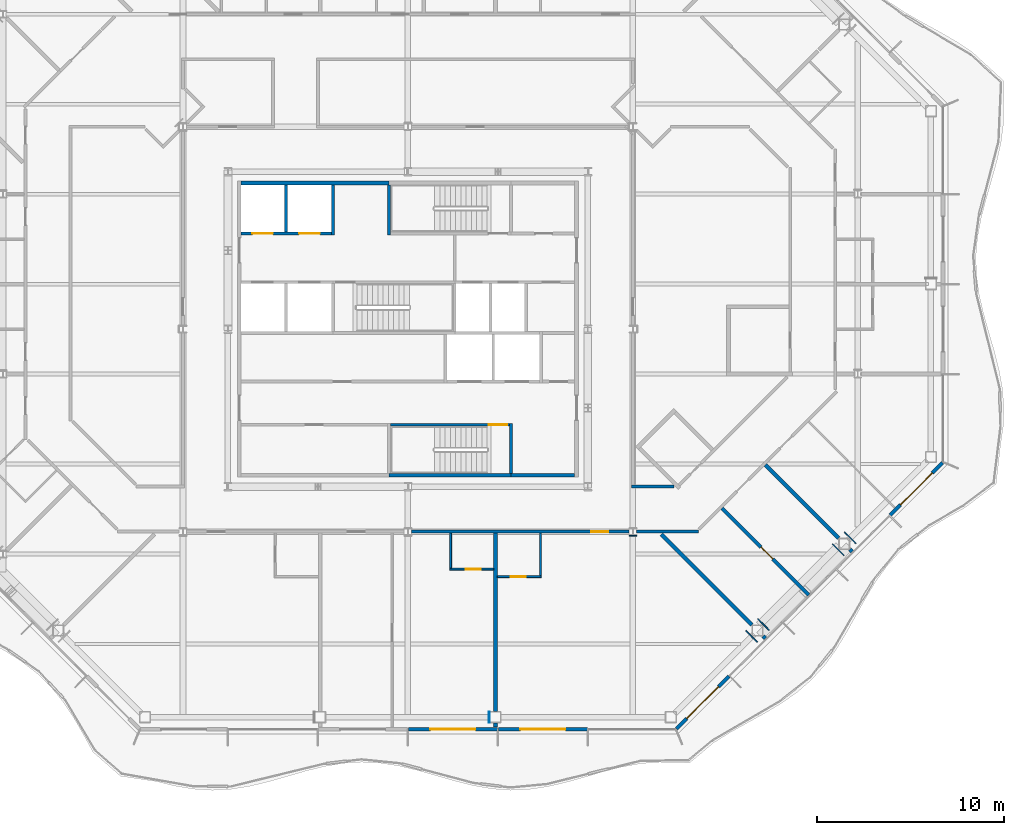
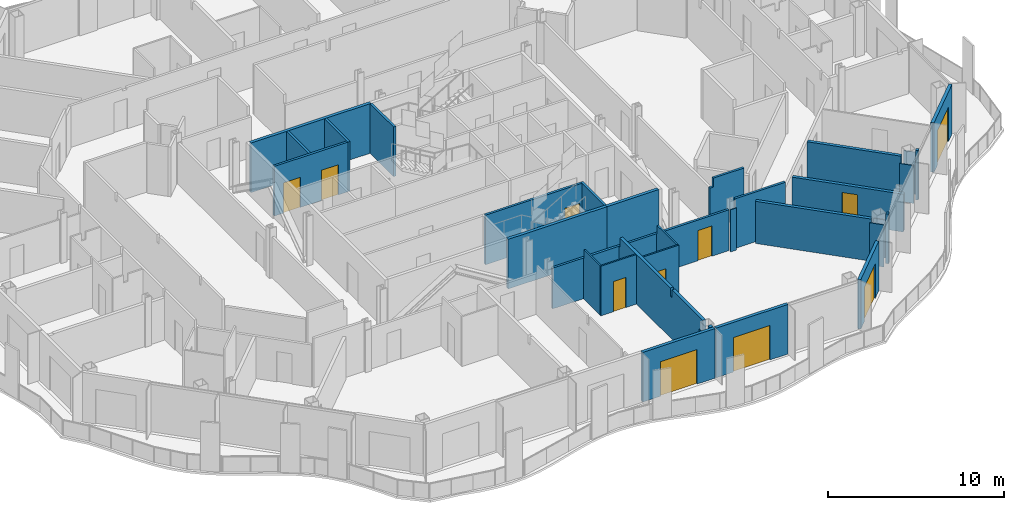
# One storey, part 9 of 21: 33 walls, 11 doors, 11 openings.
"""IFC4 building model written with IfcOpenShell, lengths in metres."""

import ifcopenshell
import ifcopenshell.guid

model = None  # the IFC model being written
_history = None  # IfcOwnerHistory: only IFC2X3 demands one
_inside = {}  # id of a spatial element -> (the spatial element, [elements in it])
_under = {}  # id of a project, library or spatial element -> (it, [spatial elements below it])
_declared = {}  # id of a project -> (the project, [libraries it declares])
_typed = {}  # id of a type object -> (the type object, [elements of that type])
_made_of = {}  # id of a material, layer set ... -> (it, [elements and type objects made of it])


def new_model(schema):
    """Start an empty IFC model of exactly this schema.

    Asked for "IFC4X3", IfcOpenShell would pick the latest addendum, in which some entities
    have other attributes; the version numbers below select the first issue.
    IFC2X3 requires an IfcOwnerHistory on every rooted entity: one is made here for all.
    """
    global model, _history
    if schema == "IFC4X3":
        model = ifcopenshell.file(schema_version=(4, 3, 0, 0))
    else:
        model = ifcopenshell.file(schema=schema)
    _inside.clear()
    _under.clear()
    _declared.clear()
    _typed.clear()
    _made_of.clear()
    _history = None
    if model.schema == "IFC2X3":
        org = make("IfcOrganization", Name="unknown")
        user = make(
            "IfcPersonAndOrganization",
            ThePerson=make("IfcPerson", FamilyName="unknown"),
            TheOrganization=org,
        )
        app = make(
            "IfcApplication",
            ApplicationDeveloper=org,
            Version="unknown",
            ApplicationFullName="unknown",
            ApplicationIdentifier="unknown",
        )
        _history = make(
            "IfcOwnerHistory",
            OwningUser=user,
            OwningApplication=app,
            ChangeAction="ADDED",
            CreationDate=0,
        )
    return model


def make(cls, **values):
    """One entity of the class cls with the attributes given. An attribute that is None is left unset."""
    return model.create_entity(
        cls, **{name: value for name, value in values.items() if value is not None}
    )


def rooted(cls, **values):
    """An entity with a GlobalId (a new one), such as an element, a storey or a relation."""
    return make(cls, GlobalId=ifcopenshell.guid.new(), OwnerHistory=_history, **values)


def si_unit(unit_type, name, prefix=None):
    """IfcSIUnit, for example si_unit("LENGTHUNIT", "METRE", prefix="MILLI")."""
    return make("IfcSIUnit", UnitType=unit_type, Prefix=prefix, Name=name)


def assignment(units):
    """IfcUnitAssignment: the units of a project."""
    return None if units is None else make("IfcUnitAssignment", Units=units)


def point(xyz):
    """IfcCartesianPoint."""
    return None if xyz is None else make("IfcCartesianPoint", Coordinates=xyz)


def direction(xyz):
    """IfcDirection."""
    return None if xyz is None else make("IfcDirection", DirectionRatios=xyz)


def frame(location, z_axis=None, x_axis=None):
    """IfcAxis2Placement3D, a coordinate frame: its origin and axes. An axis left out is left unset."""
    return make(
        "IfcAxis2Placement3D",
        Location=point(location),
        Axis=direction(z_axis),
        RefDirection=direction(x_axis),
    )


def frame_2d(location, x_axis=None):
    """IfcAxis2Placement2D, a coordinate frame in the plane: its origin and x axis."""
    return make(
        "IfcAxis2Placement2D", Location=point(location), RefDirection=direction(x_axis)
    )


def origin():
    """The frame at (0, 0, 0) with its axes left unset."""
    return frame((0.0, 0.0, 0.0))


def place(relative_to, where):
    """IfcLocalPlacement: puts the frame where relative to a parent placement (None: the world)."""
    return make(
        "IfcLocalPlacement", PlacementRelTo=relative_to, RelativePlacement=where
    )


def context(
    kind, dimensions, precision=None, world=None, true_north=None, identifier=None
):
    """IfcGeometricRepresentationContext, for example the 3D "Model" context."""
    return make(
        "IfcGeometricRepresentationContext",
        ContextIdentifier=identifier,
        ContextType=kind,
        CoordinateSpaceDimension=dimensions,
        Precision=precision,
        WorldCoordinateSystem=world,
        TrueNorth=true_north,
    )


def subcontext(parent, identifier, kind, view, scale=None):
    """IfcGeometricRepresentationSubContext, for example "Body" below "Model"."""
    return make(
        "IfcGeometricRepresentationSubContext",
        ContextIdentifier=identifier,
        ContextType=kind,
        ParentContext=parent,
        TargetScale=scale,
        TargetView=view,
    )


def project(units=None, contexts=None):
    """IfcProject with its units and contexts."""
    return rooted(
        "IfcProject",
        Name="project",
        RepresentationContexts=contexts,
        UnitsInContext=assignment(units),
    )


def spatial(cls, under=None, at=None, **own):
    """A site, building, storey or space (cls), placed at a placement, below another one or the project."""
    s = rooted(cls, ObjectPlacement=at, **own)
    if under is not None:
        _under.setdefault(under.id(), (under, []))[1].append(s)
    return s


def polyline(points):
    """IfcPolyline through the points."""
    return make("IfcPolyline", Points=[point(p) for p in points])


def profile(cls, at=None, kind="AREA", **sizes):
    """A parametric profile (cls). Its sizes go by their IFC names, for example OverallWidth=200.0."""
    return make(cls, ProfileType=kind, Position=at, **sizes)


def rectangle(**sizes):
    """IfcRectangleProfileDef."""
    return profile("IfcRectangleProfileDef", **sizes)


def outline(outer, holes=None, kind="AREA"):
    """IfcArbitraryClosedProfileDef: a profile drawn as a closed curve; with holes, ...WithVoids."""
    if holes is None:
        return make("IfcArbitraryClosedProfileDef", ProfileType=kind, OuterCurve=outer)
    return make(
        "IfcArbitraryProfileDefWithVoids",
        ProfileType=kind,
        OuterCurve=outer,
        InnerCurves=holes,
    )


def extrude(swept, where, along, depth):
    """IfcExtrudedAreaSolid: the profile swept, set in the frame where, extruded along a direction by depth."""
    return make(
        "IfcExtrudedAreaSolid",
        SweptArea=swept,
        Position=where,
        ExtrudedDirection=direction(along),
        Depth=depth,
    )


def shape(context_of_items, identifier, shape_type, items):
    """IfcShapeRepresentation: the items that make up one representation, for example the "Body"."""
    return make(
        "IfcShapeRepresentation",
        ContextOfItems=context_of_items,
        RepresentationIdentifier=identifier,
        RepresentationType=shape_type,
        Items=items,
    )


def material(Name=None, Category=None):
    """IfcMaterial."""
    return make("IfcMaterial", Name=Name, Category=Category)


def layer(
    of_material, thickness, ventilated=None, Name=None, Category=None, Priority=None
):
    """IfcMaterialLayer: one layer of a wall or slab, of a material (None: an air gap)."""
    return make(
        "IfcMaterialLayer",
        Material=of_material,
        LayerThickness=thickness,
        IsVentilated=ventilated,
        Name=Name,
        Category=Category,
        Priority=Priority,
    )


def layer_set(layers, Name=None):
    """IfcMaterialLayerSet."""
    return make("IfcMaterialLayerSet", MaterialLayers=layers, LayerSetName=Name)


def made_of(thing, what):
    """Note that an element or type object is made of a material, layer set ...; save() writes the relation."""
    if what is not None:
        _made_of.setdefault(what.id(), (what, []))[1].append(thing)
    return thing


def type_object(cls, material=None, **own):
    """A type object (cls), such as IfcWallType, which elements share."""
    return made_of(rooted(cls, **own), material)


def element(
    cls,
    number,
    at=None,
    inside=None,
    cuts=None,
    type_object=None,
    material=None,
    context=None,
    identifier="Body",
    shape_type=None,
    held_by="IfcProductDefinitionShape",
    body=None,
    shapes=None,
    **own,
):
    """One element of the class cls, such as IfcWall. Its Tag is "e" and its number.

    at: its placement. inside: the storey or other place that contains it. cuts: it is an
    opening in that element (IfcRelVoidsElement). A single representation is given by context,
    identifier, shape_type and body (its items); several are given by shapes. held_by: the class
    of the entity that holds the representations. save() writes the other relations.
    """
    e = rooted(cls, Tag="e%d" % number, ObjectPlacement=at, **own)
    if body is not None:
        shapes = [shape(context, identifier, shape_type, body)]
    if shapes is not None:
        e.Representation = make(held_by, Representations=shapes)
    if inside is not None:
        _inside.setdefault(inside.id(), (inside, []))[1].append(e)
    if cuts is not None:
        rooted(
            "IfcRelVoidsElement", RelatingBuildingElement=cuts, RelatedOpeningElement=e
        )
    if type_object is not None:
        _typed.setdefault(type_object.id(), (type_object, []))[1].append(e)
    return made_of(e, material)


def fill(opening, filler):
    """IfcRelFillsElement: the door or window that sits in an opening."""
    return rooted(
        "IfcRelFillsElement",
        RelatingOpeningElement=opening,
        RelatedBuildingElement=filler,
    )


def aggregate(whole, parts):
    """IfcRelAggregates: a whole, such as a stair, and the parts it consists of."""
    return rooted("IfcRelAggregates", RelatingObject=whole, RelatedObjects=parts)


def save(model, path):
    """Write the relations noted so far, then the file.

    IfcRelAggregates (storeys below a building ...), IfcRelContainedInSpatialStructure (elements
    in a storey), IfcRelDefinesByType, IfcRelAssociatesMaterial and IfcRelDeclares: one each for
    every whole, place, type object, material and project.
    """
    for whole, parts in _under.values():
        aggregate(whole, parts)
    for where, things in _inside.values():
        rooted(
            "IfcRelContainedInSpatialStructure",
            RelatedElements=things,
            RelatingStructure=where,
        )
    for kind, things in _typed.values():
        rooted("IfcRelDefinesByType", RelatedObjects=things, RelatingType=kind)
    for what, things in _made_of.values():
        rooted("IfcRelAssociatesMaterial", RelatedObjects=things, RelatingMaterial=what)
    for by, libraries in _declared.values():
        rooted("IfcRelDeclares", RelatingContext=by, RelatedDefinitions=libraries)
    model.write(path)


model = new_model("IFC4")

# Units and contexts
model_context = context("Model", 3, precision=1e-05, world=origin(), true_north=direction((0.0, 1.0)))
body_context = subcontext(model_context, "Body", "Model", "MODEL_VIEW")
ifc_project = project(units=[si_unit("LENGTHUNIT", "METRE"), si_unit("AREAUNIT", "SQUARE_METRE"), si_unit("VOLUMEUNIT", "CUBIC_METRE"), si_unit("PLANEANGLEUNIT", "RADIAN"), si_unit("MASSUNIT", "GRAM", prefix="KILO")], contexts=[model_context])

# Site, building, storey
site_placement = place(None, origin())
site = spatial("IfcSite", under=ifc_project, at=site_placement, CompositionType="ELEMENT")
building_placement = place(site_placement, origin())
building = spatial("IfcBuilding", under=site, at=building_placement, Name="Cairn Pilgrim Tower", CompositionType="ELEMENT")
storey_placement = place(building_placement, frame((0.0, 0.0, 161.39990234375)))
storey = spatial("IfcBuildingStorey", under=building, at=storey_placement, Name="L40", CompositionType="ELEMENT", Elevation=161.39990234375)

# Wall, opening, door
ifc_material_1 = material(Name="Bronze anodised aluminium insulated sandwich panel with mineral wool fill", Category="aluminium")
ifc_layer_1 = layer(ifc_material_1, 0.199951171875)
ifc_layer_set_1 = layer_set([ifc_layer_1], Name="BRONZE INFILL FRAME WALL 200")
wall_type_1 = type_object("IfcWallType", Name="BRONZE INFILL FRAME WALL 200", PredefinedType="NOTDEFINED", material=ifc_layer_set_1)
wall_1_placement = place(storey_placement, frame((7.22998046875, -18.949951171875, 0.0), z_axis=(0.0, 0.0, 1.0), x_axis=(1.0, 0.0, 0.0)))
wall_1 = element("IfcWall", 1, at=wall_1_placement, inside=storey, type_object=wall_type_1, Name="Bronze infill frame wall IW-S4", PredefinedType="NOTDEFINED", context=body_context, shape_type="SweptSolid", body=[
    extrude(rectangle(XDim=4.739990234375, YDim=0.199951171875, at=frame_2d((2.3701171875, 0.0))), origin(), (0.0, 0.0, 1.0), 3.4501953125),
])
opening_1_placement = place(wall_1_placement, frame((1.17041015625, 0.0, 0.0)))
opening_1 = element("IfcOpeningElement", 2, at=opening_1_placement, cuts=wall_1, Name="Opening 4022SB", PredefinedType="OPENING", context=body_context, shape_type="SweptSolid", body=[
    extrude(rectangle(XDim=2.39990234375, YDim=2.39990234375, at=frame_2d((1.199951171875, 1.199951171875))), frame((0.0, 0.10986328125, 0.0), z_axis=(0.0, -1.0, 0.0), x_axis=(1.0, 0.0, 0.0)), (0.0, 0.0, 1.0), 0.219970703125),
])
ifc_material_2 = material(Name="Bronze anodised aluminium frame with tinted low-E glass", Category="aluminium")
door_type_1 = type_object("IfcDoorType", Name="BALCONY SLIDING DOOR 2400x2400", OperationType="DOUBLE_DOOR_SLIDING", PredefinedType="DOOR", material=ifc_material_2)
door_1_placement = place(opening_1_placement, origin())
door_1 = element("IfcDoor", 3, at=door_1_placement, inside=storey, type_object=door_type_1, Name="Balcony sliding door 4022SB", OperationType="SINGLE_SWING_LEFT", OverallHeight=2.39990234375, OverallWidth=2.39990234375, PredefinedType="DOOR", context=body_context, shape_type="SweptSolid", body=[
    extrude(rectangle(XDim=2.39990234375, YDim=2.39990234375, at=frame_2d((1.199951171875, 1.199951171875))), frame((0.0, 0.02490234375, 0.0), z_axis=(0.0, -1.0, 0.0), x_axis=(1.0, 0.0, 0.0)), (0.0, 0.0, 1.0), 0.050048828125),
])
fill(opening_1, door_1)

wall_2_placement = place(storey_placement, frame((12.030029296875, -18.949951171875, 0.0), z_axis=(0.0, 0.0, 1.0), x_axis=(1.0, 0.0, 0.0)))
wall_2 = element("IfcWall", 4, at=wall_2_placement, inside=storey, type_object=wall_type_1, Name="Bronze infill frame wall IW-S5", PredefinedType="NOTDEFINED", context=body_context, shape_type="SweptSolid", body=[
    extrude(rectangle(XDim=4.739990234375, YDim=0.199951171875, at=frame_2d((2.3701171875, 0.0))), origin(), (0.0, 0.0, 1.0), 3.4501953125),
])
opening_2_placement = place(wall_2_placement, frame((1.169677734375, 0.0, 0.0)))
opening_2 = element("IfcOpeningElement", 5, at=opening_2_placement, cuts=wall_2, Name="Opening 4001B", PredefinedType="OPENING", context=body_context, shape_type="SweptSolid", body=[
    extrude(rectangle(XDim=2.39990234375, YDim=2.39990234375, at=frame_2d((1.199951171875, 1.199951171875))), frame((0.0, 0.10986328125, 0.0), z_axis=(0.0, -1.0, 0.0), x_axis=(1.0, 0.0, 0.0)), (0.0, 0.0, 1.0), 0.219970703125),
])
door_2_placement = place(opening_2_placement, origin())
door_2 = element("IfcDoor", 6, at=door_2_placement, inside=storey, type_object=door_type_1, Name="Balcony sliding door 4001B", OperationType="SINGLE_SWING_LEFT", OverallHeight=2.39990234375, OverallWidth=2.39990234375, PredefinedType="DOOR", context=body_context, shape_type="SweptSolid", body=[
    extrude(rectangle(XDim=2.39990234375, YDim=2.39990234375, at=frame_2d((1.199951171875, 1.199951171875))), frame((0.0, 0.02490234375, 0.0), z_axis=(0.0, -1.0, 0.0), x_axis=(1.0, 0.0, 0.0)), (0.0, 0.0, 1.0), 0.050048828125),
])
fill(opening_2, door_2)

wall_3_placement = place(storey_placement, frame((21.524658203125, -18.921630859375, 0.0), z_axis=(0.0, 0.0, 1.0), x_axis=(0.707137595296, 0.707075965734, 0.0)))
wall_3 = element("IfcWall", 7, at=wall_3_placement, inside=storey, type_object=wall_type_1, Name="Bronze infill frame wall IW-SE1", PredefinedType="NOTDEFINED", context=body_context, shape_type="SweptSolid", body=[
    extrude(rectangle(XDim=3.96142578125, YDim=0.199951171875, at=frame_2d((1.980712890625, 0.0))), origin(), (0.0, 0.0, 1.0), 3.4501953125),
])
opening_3_placement = place(wall_3_placement, frame((0.775390625, 0.0, 0.0)))
opening_3 = element("IfcOpeningElement", 8, at=opening_3_placement, cuts=wall_3, Name="Opening 4001B2", PredefinedType="OPENING", context=body_context, shape_type="SweptSolid", body=[
    extrude(rectangle(XDim=2.39990234375, YDim=2.39990234375, at=frame_2d((1.199951171875, 1.199951171875))), frame((0.0, 0.10986328125, 0.0), z_axis=(0.0, -1.0, 0.0), x_axis=(1.0, 0.0, 0.0)), (0.0, 0.0, 1.0), 0.219970703125),
])
door_3_placement = place(opening_3_placement, origin())
door_3 = element("IfcDoor", 9, at=door_3_placement, inside=storey, type_object=door_type_1, Name="Balcony sliding door 4001B2", OperationType="SINGLE_SWING_LEFT", OverallHeight=2.39990234375, OverallWidth=2.39990234375, PredefinedType="DOOR", context=body_context, shape_type="SweptSolid", body=[
    extrude(rectangle(XDim=2.39990234375, YDim=2.39990234375, at=frame_2d((1.199951171875, 1.199951171875))), frame((0.0, 0.02490234375, 0.0), z_axis=(0.0, -1.0, 0.0), x_axis=(1.0, 0.0, 0.0)), (0.0, 0.0, 1.0), 0.050048828125),
])
fill(opening_3, door_3)

wall_4_placement = place(storey_placement, frame((32.92041015625, -7.52587890625, 0.0), z_axis=(0.0, 0.0, 1.0), x_axis=(0.707106781187, 0.707106781187, 0.0)))
wall_4 = element("IfcWall", 10, at=wall_4_placement, inside=storey, type_object=wall_type_1, Name="Bronze infill frame wall IW-SE5", PredefinedType="NOTDEFINED", context=body_context, shape_type="SweptSolid", body=[
    extrude(rectangle(XDim=3.961669921875, YDim=0.199951171875, at=frame_2d((1.98095703125, 0.0))), origin(), (0.0, 0.0, 1.0), 3.4501953125),
])
opening_4_placement = place(wall_4_placement, frame((0.785400390625, 0.0, 0.0)))
opening_4 = element("IfcOpeningElement", 11, at=opening_4_placement, cuts=wall_4, Name="Opening 4005B", PredefinedType="OPENING", context=body_context, shape_type="SweptSolid", body=[
    extrude(rectangle(XDim=2.39990234375, YDim=2.39990234375, at=frame_2d((1.199951171875, 1.199951171875))), frame((0.0, 0.10986328125, 0.0), z_axis=(0.0, -1.0, 0.0), x_axis=(1.0, 0.0, 0.0)), (0.0, 0.0, 1.0), 0.219970703125),
])
door_4_placement = place(opening_4_placement, origin())
door_4 = element("IfcDoor", 12, at=door_4_placement, inside=storey, type_object=door_type_1, Name="Balcony sliding door 4005B", OperationType="SINGLE_SWING_LEFT", OverallHeight=2.39990234375, OverallWidth=2.39990234375, PredefinedType="DOOR", context=body_context, shape_type="SweptSolid", body=[
    extrude(rectangle(XDim=2.39990234375, YDim=2.39990234375, at=frame_2d((1.199951171875, 1.199951171875))), frame((0.0, 0.02490234375, 0.0), z_axis=(0.0, -1.0, 0.0), x_axis=(1.0, 0.0, 0.0)), (0.0, 0.0, 1.0), 0.050048828125),
])
fill(opening_4, door_4)

# Walls
ifc_material_3 = material(Name="Concrete C32/40", Category="concrete")
ifc_layer_2 = layer(ifc_material_3, 0.199951171875)
ifc_layer_set_2 = layer_set([ifc_layer_2], Name="CORE OUTER WALL 200 EI 120")
wall_type_2 = type_object("IfcWallType", Name="CORE OUTER WALL 200 EI 120", PredefinedType="SOLIDWALL", material=ifc_layer_set_2)
wall_5_placement = place(storey_placement, frame((12.699951171875, -5.39990234375, 0.0), z_axis=(0.0, 0.0, 1.0), x_axis=(1.0, 0.0, 0.0)))
element("IfcWall", 13, at=wall_5_placement, inside=storey, type_object=wall_type_2, Name="CW:L40:H01-3", PredefinedType="SOLIDWALL", context=body_context, shape_type="SweptSolid", body=[
    extrude(rectangle(XDim=3.400146484375, YDim=0.199951171875, at=frame_2d((1.7001953125, 0.0))), origin(), (0.0, 0.0, 1.0), 3.4501953125),
])
wall_6_placement = place(storey_placement, frame((-1.699951171875, 10.199951171875, 0.0), z_axis=(0.0, 0.0, 1.0), x_axis=(1.0, 0.0, 0.0)))
element("IfcWall", 14, at=wall_6_placement, inside=storey, type_object=wall_type_2, Name="CW:L40:H12-1", PredefinedType="SOLIDWALL", context=body_context, shape_type="SweptSolid", body=[
    extrude(rectangle(XDim=7.89990234375, YDim=0.199951171875, at=frame_2d((3.949951171875, 0.0))), origin(), (0.0, 0.0, 1.0), 3.4501953125),
])

# Wall, openings, doors
ifc_layer_3 = layer(ifc_material_3, 0.14990234375)
ifc_layer_set_3 = layer_set([ifc_layer_3], Name="CORE SHAFT WALL 150 EI 120")
wall_type_3 = type_object("IfcWallType", Name="CORE SHAFT WALL 150 EI 120", PredefinedType="SOLIDWALL", material=ifc_layer_set_3)
wall_7_placement = place(storey_placement, frame((-1.699951171875, 7.5, 0.0), z_axis=(0.0, 0.0, 1.0), x_axis=(1.0, 0.0, 0.0)))
wall_7 = element("IfcWall", 15, at=wall_7_placement, inside=storey, type_object=wall_type_3, Name="CW:L40:H10", PredefinedType="SOLIDWALL", context=body_context, shape_type="SweptSolid", body=[
    extrude(rectangle(XDim=4.824951171875, YDim=0.14990234375, at=frame_2d((2.41259765625, 0.0))), origin(), (0.0, 0.0, 1.0), 3.4501953125),
])
opening_5_placement = place(wall_7_placement, frame((0.60009765625, 0.0, 0.0)))
opening_5 = element("IfcOpeningElement", 16, at=opening_5_placement, cuts=wall_7, Name="Opening LD-HR3", PredefinedType="OPENING", context=body_context, shape_type="SweptSolid", body=[
    extrude(rectangle(XDim=1.10009765625, YDim=2.10009765625, at=frame_2d((0.550048828125, 1.050048828125))), frame((0.0, 0.0849609375, 0.0), z_axis=(0.0, -1.0, 0.0), x_axis=(1.0, 0.0, 0.0)), (0.0, 0.0, 1.0), 0.169921875),
])
opening_6_placement = place(wall_7_placement, frame((3.10009765625, 0.0, 0.0)))
opening_6 = element("IfcOpeningElement", 17, at=opening_6_placement, cuts=wall_7, Name="Opening LD-HR4", PredefinedType="OPENING", context=body_context, shape_type="SweptSolid", body=[
    extrude(rectangle(XDim=1.10009765625, YDim=2.10009765625, at=frame_2d((0.550048828125, 1.050048828125))), frame((0.0, 0.0849609375, 0.0), z_axis=(0.0, -1.0, 0.0), x_axis=(1.0, 0.0, 0.0)), (0.0, 0.0, 1.0), 0.169921875),
])
ifc_material_4 = material(Name="Stainless steel", Category="steel")
door_type_2 = type_object("IfcDoorType", Name="LIFT LANDING DOOR 1100x2100", OperationType="DOUBLE_DOOR_SLIDING", PredefinedType="DOOR", material=ifc_material_4)
door_5_placement = place(opening_5_placement, origin())
door_5 = element("IfcDoor", 18, at=door_5_placement, inside=storey, type_object=door_type_2, Name="LANDING DOOR HR3", OperationType="DOUBLE_DOOR_SLIDING", OverallHeight=2.10009765625, OverallWidth=1.10009765625, PredefinedType="DOOR", context=body_context, shape_type="SweptSolid", body=[
    extrude(rectangle(XDim=1.10009765625, YDim=2.10009765625, at=frame_2d((0.550048828125, 1.050048828125))), frame((0.0, 0.02490234375, 0.0), z_axis=(0.0, -1.0, 0.0), x_axis=(1.0, 0.0, 0.0)), (0.0, 0.0, 1.0), 0.050048828125),
])
fill(opening_5, door_5)
door_6_placement = place(opening_6_placement, origin())
door_6 = element("IfcDoor", 19, at=door_6_placement, inside=storey, type_object=door_type_2, Name="LANDING DOOR HR4", OperationType="DOUBLE_DOOR_SLIDING", OverallHeight=2.10009765625, OverallWidth=1.10009765625, PredefinedType="DOOR", context=body_context, shape_type="SweptSolid", body=[
    extrude(rectangle(XDim=1.10009765625, YDim=2.10009765625, at=frame_2d((0.550048828125, 1.050048828125))), frame((0.0, 0.02490234375, 0.0), z_axis=(0.0, -1.0, 0.0), x_axis=(1.0, 0.0, 0.0)), (0.0, 0.0, 1.0), 0.050048828125),
])
fill(opening_6, door_6)

# Walls
wall_8_placement = place(storey_placement, frame((0.699951171875, 7.574951171875, 0.0), z_axis=(0.0, 0.0, 1.0), x_axis=(0.0, 1.0, 0.0)))
element("IfcWall", 20, at=wall_8_placement, inside=storey, type_object=wall_type_3, Name="CW:L40:V15", PredefinedType="SOLIDWALL", context=body_context, shape_type="SweptSolid", body=[
    extrude(rectangle(XDim=2.525146484375, YDim=0.14990234375, at=frame_2d((1.2626953125, 0.0))), origin(), (0.0, 0.0, 1.0), 3.4501953125),
])
wall_9_placement = place(storey_placement, frame((3.199951171875, 7.425048828125, 0.0), z_axis=(0.0, 0.0, 1.0), x_axis=(0.0, 1.0, 0.0)))
element("IfcWall", 21, at=wall_9_placement, inside=storey, type_object=wall_type_3, Name="CW:L40:V17", PredefinedType="SOLIDWALL", context=body_context, shape_type="SweptSolid", body=[
    extrude(rectangle(XDim=2.675048828125, YDim=0.14990234375, at=frame_2d((1.33740234375, 0.0))), origin(), (0.0, 0.0, 1.0), 3.4501953125),
])

# Wall, opening, door
ifc_material_5 = material(Name="Gypsum partition")
ifc_layer_4 = layer(ifc_material_5, 0.10009765625)
ifc_layer_set_4 = layer_set([ifc_layer_4], Name="PARTITION 100 DRYWALL")
wall_type_4 = type_object("IfcWallType", Name="PARTITION 100 DRYWALL", PredefinedType="PARTITIONING", material=ifc_layer_set_4)
wall_10_placement = place(storey_placement, frame((11.97607421875, -10.800048828125, 0.0), z_axis=(0.0, 0.0, 1.0), x_axis=(1.0, 0.0, 0.0)))
wall_10 = element("IfcWall", 22, at=wall_10_placement, inside=storey, type_object=wall_type_4, Name="PARTITION W013", PredefinedType="PARTITIONING", context=body_context, shape_type="SweptSolid", body=[
    extrude(rectangle(XDim=2.349853515625, YDim=0.10009765625, at=frame_2d((1.1748046875, 0.0))), origin(), (0.0, 0.0, 1.0), 3.4501953125),
])
opening_7_placement = place(wall_10_placement, frame((0.699951171875, 0.0, 0.0)))
opening_7 = element("IfcOpeningElement", 23, at=opening_7_placement, cuts=wall_10, Name="Opening 4001A", PredefinedType="OPENING", context=body_context, shape_type="SweptSolid", body=[
    extrude(rectangle(XDim=0.800048828125, YDim=2.10009765625, at=frame_2d((0.39990234375, 1.050048828125))), frame((0.0, 0.06005859375, 0.0), z_axis=(0.0, -1.0, 0.0), x_axis=(1.0, 0.0, 0.0)), (0.0, 0.0, 1.0), 0.1201171875),
])
ifc_material_6 = material(Name="Timber door leaf", Category="wood")
door_type_3 = type_object("IfcDoorType", Name="WC DOOR 800x2100", OperationType="NOTDEFINED", PredefinedType="DOOR", material=ifc_material_6)
door_7_placement = place(opening_7_placement, frame((0.800048828125, 0.0, 0.0), z_axis=(0.0, 0.0, 1.0), x_axis=(-1.0, 0.0, 0.0)))
door_7 = element("IfcDoor", 24, at=door_7_placement, inside=storey, type_object=door_type_3, Name="DOOR 4001A", OperationType="SINGLE_SWING_RIGHT", OverallHeight=2.10009765625, OverallWidth=0.800048828125, PredefinedType="DOOR", context=body_context, shape_type="SweptSolid", body=[
    extrude(rectangle(XDim=0.800048828125, YDim=2.10009765625, at=frame_2d((0.39990234375, 1.050048828125))), frame((0.0, 0.02490234375, 0.0), z_axis=(0.0, -1.0, 0.0), x_axis=(1.0, 0.0, 0.0)), (0.0, 0.0, 1.0), 0.050048828125),
])
fill(opening_7, door_7)

# Wall
wall_11_placement = place(storey_placement, frame((14.27587890625, -10.75, 0.0), z_axis=(0.0, 0.0, 1.0), x_axis=(0.0, 1.0, 0.0)))
element("IfcWall", 25, at=wall_11_placement, inside=storey, type_object=wall_type_4, Name="PARTITION W014", PredefinedType="PARTITIONING", context=body_context, shape_type="SweptSolid", body=[
    extrude(outline(polyline([(0.0, 0.0), (2.27490234375, 0.0), (2.27490234375, 2.830078125), (2.199951171875, 2.830078125), (2.197998046875, 3.4501953125), (0.0, 3.4501953125), (0.0, 0.0)])), frame((0.0, 0.050048828125, 0.0), z_axis=(0.0, -1.0, 0.0), x_axis=(1.0, 0.0, 0.0)), (0.0, 0.0, 1.0), 0.10009765625),
])

# Wall, opening, door
wall_12_placement = place(storey_placement, frame((9.426025390625, -10.39990234375, 0.0), z_axis=(0.0, 0.0, 1.0), x_axis=(1.0, 0.0, 0.0)))
wall_12 = element("IfcWall", 26, at=wall_12_placement, inside=storey, type_object=wall_type_4, Name="PARTITION W016", PredefinedType="PARTITIONING", context=body_context, shape_type="SweptSolid", body=[
    extrude(rectangle(XDim=2.349853515625, YDim=0.10009765625, at=frame_2d((1.1748046875, 0.0))), origin(), (0.0, 0.0, 1.0), 3.4501953125),
])
opening_8_placement = place(wall_12_placement, frame((0.85009765625, 0.0, 0.0)))
opening_8 = element("IfcOpeningElement", 27, at=opening_8_placement, cuts=wall_12, Name="Opening 4022A", PredefinedType="OPENING", context=body_context, shape_type="SweptSolid", body=[
    extrude(rectangle(XDim=0.800048828125, YDim=2.10009765625, at=frame_2d((0.39990234375, 1.050048828125))), frame((0.0, 0.06005859375, 0.0), z_axis=(0.0, -1.0, 0.0), x_axis=(1.0, 0.0, 0.0)), (0.0, 0.0, 1.0), 0.1201171875),
])
door_8_placement = place(opening_8_placement, frame((0.800048828125, 0.0, 0.0), z_axis=(0.0, 0.0, 1.0), x_axis=(-1.0, 0.0, 0.0)))
door_8 = element("IfcDoor", 28, at=door_8_placement, inside=storey, type_object=door_type_3, Name="DOOR 4022A", OperationType="SINGLE_SWING_RIGHT", OverallHeight=2.10009765625, OverallWidth=0.800048828125, PredefinedType="DOOR", context=body_context, shape_type="SweptSolid", body=[
    extrude(rectangle(XDim=0.800048828125, YDim=2.10009765625, at=frame_2d((0.39990234375, 1.050048828125))), frame((0.0, 0.02490234375, 0.0), z_axis=(0.0, -1.0, 0.0), x_axis=(1.0, 0.0, 0.0)), (0.0, 0.0, 1.0), 0.050048828125),
])
fill(opening_8, door_8)

# Wall
wall_13_placement = place(storey_placement, frame((9.47607421875, -10.35009765625, 0.0), z_axis=(0.0, 0.0, 1.0), x_axis=(0.0, 1.0, 0.0)))
element("IfcWall", 29, at=wall_13_placement, inside=storey, type_object=wall_type_4, Name="PARTITION W017", PredefinedType="PARTITIONING", context=body_context, shape_type="SweptSolid", body=[
    extrude(outline(polyline([(0.0, 0.0), (1.875, 0.0), (1.875, 2.830078125), (1.800048828125, 2.830078125), (1.798095703125, 3.4501953125), (0.0, 3.4501953125), (0.0, 0.0)])), frame((0.0, 0.050048828125, 0.0), z_axis=(0.0, -1.0, 0.0), x_axis=(1.0, 0.0, 0.0)), (0.0, 0.0, 1.0), 0.10009765625),
])

# Wall, opening, door
ifc_layer_5 = layer(ifc_material_5, 0.14990234375)
ifc_layer_set_5 = layer_set([ifc_layer_5], Name="PARTITION 150 DRYWALL EI 60")
wall_type_5 = type_object("IfcWallType", Name="PARTITION 150 DRYWALL EI 60", PredefinedType="PARTITIONING", material=ifc_layer_set_5)
wall_14_placement = place(storey_placement, frame((7.3994140625, -8.39990234375, 0.0), z_axis=(0.0, 0.0, 1.0), x_axis=(1.0, 0.0, 0.0)))
wall_14 = element("IfcWall", 30, at=wall_14_placement, inside=storey, type_object=wall_type_5, Name="PARTITION W023", PredefinedType="PARTITIONING", context=body_context, shape_type="SweptSolid", body=[
    extrude(rectangle(XDim=11.60107421875, YDim=0.14990234375, at=frame_2d((5.800537109375, 0.0))), origin(), (0.0, 0.0, 1.0), 2.830078125),
])
opening_9_placement = place(wall_14_placement, frame((9.576416015625, 0.0, 0.0)))
opening_9 = element("IfcOpeningElement", 31, at=opening_9_placement, cuts=wall_14, Name="Opening 4001", PredefinedType="OPENING", context=body_context, shape_type="SweptSolid", body=[
    extrude(rectangle(XDim=0.89990234375, YDim=2.10009765625, at=frame_2d((0.449951171875, 1.050048828125))), frame((0.0, 0.0849609375, 0.0), z_axis=(0.0, -1.0, 0.0), x_axis=(1.0, 0.0, 0.0)), (0.0, 0.0, 1.0), 0.169921875),
])
door_type_4 = type_object("IfcDoorType", Name="ROOM DOOR 900x2100 FD30S", OperationType="NOTDEFINED", PredefinedType="DOOR", material=ifc_material_6)
door_9_placement = place(opening_9_placement, frame((0.89990234375, 0.0, 0.0), z_axis=(0.0, 0.0, 1.0), x_axis=(-1.0, 0.0, 0.0)))
door_9 = element("IfcDoor", 32, at=door_9_placement, inside=storey, type_object=door_type_4, Name="DOOR 4001", OperationType="SINGLE_SWING_RIGHT", OverallHeight=2.10009765625, OverallWidth=0.89990234375, PredefinedType="DOOR", context=body_context, shape_type="SweptSolid", body=[
    extrude(rectangle(XDim=0.89990234375, YDim=2.10009765625, at=frame_2d((0.449951171875, 1.050048828125))), frame((0.0, 0.02490234375, 0.0), z_axis=(0.0, -1.0, 0.0), x_axis=(1.0, 0.0, 0.0)), (0.0, 0.0, 1.0), 0.050048828125),
])
fill(opening_9, door_9)

# Walls
wall_15_placement = place(storey_placement, frame((19.3994140625, -8.39990234375, 0.0), z_axis=(0.0, 0.0, 1.0), x_axis=(1.0, 0.0, 0.0)))
element("IfcWall", 33, at=wall_15_placement, inside=storey, type_object=wall_type_5, Name="PARTITION W024", PredefinedType="PARTITIONING", context=body_context, shape_type="SweptSolid", body=[
    extrude(rectangle(XDim=3.300537109375, YDim=0.14990234375, at=frame_2d((1.650390625, 0.0))), origin(), (0.0, 0.0, 1.0), 3.4501953125),
])
wall_16_placement = place(storey_placement, frame((19.125, -6.0, 0.0), z_axis=(0.0, 0.0, 1.0), x_axis=(1.0, 0.0, 0.0)))
element("IfcWall", 34, at=wall_16_placement, inside=storey, type_object=wall_type_5, Name="PARTITION W032", PredefinedType="PARTITIONING", context=body_context, shape_type="SweptSolid", body=[
    extrude(outline(polyline([(0.0, 0.0), (2.258544921875, 0.0), (2.258544921875, 3.4501953125), (0.22509765625, 3.4501953125), (0.222900390625, 2.830078125), (0.0, 2.830078125), (0.0, 0.0)])), frame((0.0, 0.074951171875, 0.0), z_axis=(0.0, -1.0, 0.0), x_axis=(1.0, 0.0, 0.0)), (0.0, 0.0, 1.0), 0.14990234375),
])
ifc_layer_6 = layer(ifc_material_5, 0.050048828125)
ifc_layer_set_6 = layer_set([ifc_layer_6], Name="PARTITION 50 DRYWALL EI 60")
wall_type_6 = type_object("IfcWallType", Name="PARTITION 50 DRYWALL EI 60", PredefinedType="PARTITIONING", material=ifc_layer_set_6)
wall_17_placement = place(storey_placement, frame((11.55078125, -18.60009765625, 0.0), z_axis=(0.0, 0.0, 1.0), x_axis=(0.0, 1.0, 0.0)))
element("IfcWall", 35, at=wall_17_placement, inside=storey, type_object=wall_type_6, Name="COLUMN CASING WC02", PredefinedType="PARTITIONING", context=body_context, shape_type="SweptSolid", body=[
    extrude(rectangle(XDim=0.60009765625, YDim=0.050048828125, at=frame_2d((0.300048828125, 0.0))), origin(), (0.0, 0.0, 1.0), 2.93017578125),
])
wall_18_placement = place(storey_placement, frame((25.833740234375, -14.29345703125, 0.0), z_axis=(0.0, 0.0, 1.0), x_axis=(-0.706962899457, 0.707250633645, 0.0)))
element("IfcWall", 36, at=wall_18_placement, inside=storey, type_object=wall_type_6, Name="COLUMN CASING WC05", PredefinedType="PARTITIONING", context=body_context, shape_type="SweptSolid", body=[
    extrude(rectangle(XDim=0.848388671875, YDim=0.050048828125, at=frame_2d((0.42431640625, 0.0))), origin(), (0.0, 0.0, 1.0), 2.93017578125),
])
wall_19_placement = place(storey_placement, frame((26.46923828125, -13.657958984375, 0.0), z_axis=(0.0, 0.0, 1.0), x_axis=(-0.707250633645, 0.706962899457, 0.0)))
element("IfcWall", 37, at=wall_19_placement, inside=storey, type_object=wall_type_6, Name="COLUMN CASING WC06", PredefinedType="PARTITIONING", context=body_context, shape_type="SweptSolid", body=[
    extrude(rectangle(XDim=0.848388671875, YDim=0.050048828125, at=frame_2d((0.42431640625, 0.0))), origin(), (0.0, 0.0, 1.0), 2.630126953125),
])
wall_20_placement = place(storey_placement, frame((30.4580078125, -9.669189453125, 0.0), z_axis=(0.0, 0.0, 1.0), x_axis=(-0.707106781187, 0.707106781187, 0.0)))
element("IfcWall", 38, at=wall_20_placement, inside=storey, type_object=wall_type_6, Name="COLUMN CASING WC08", PredefinedType="PARTITIONING", context=body_context, shape_type="SweptSolid", body=[
    extrude(rectangle(XDim=0.8486328125, YDim=0.050048828125, at=frame_2d((0.42431640625, 0.0))), origin(), (0.0, 0.0, 1.0), 2.630126953125),
])
wall_21_placement = place(storey_placement, frame((31.093505859375, -9.03369140625, 0.0), z_axis=(0.0, 0.0, 1.0), x_axis=(-0.707250633645, 0.706962899457, 0.0)))
element("IfcWall", 39, at=wall_21_placement, inside=storey, type_object=wall_type_6, Name="COLUMN CASING WC09", PredefinedType="PARTITIONING", context=body_context, shape_type="SweptSolid", body=[
    extrude(rectangle(XDim=0.848388671875, YDim=0.050048828125, at=frame_2d((0.42431640625, 0.0))), origin(), (0.0, 0.0, 1.0), 2.93017578125),
])
wall_22_placement = place(storey_placement, frame((19.00048828125, -8.62158203125, 0.0), z_axis=(0.0, 0.0, 1.0), x_axis=(1.0, 0.0, 0.0)))
element("IfcWall", 40, at=wall_22_placement, inside=storey, type_object=wall_type_6, Name="COLUMN CASING WC12", PredefinedType="PARTITIONING", context=body_context, shape_type="SweptSolid", body=[
    extrude(rectangle(XDim=0.39892578125, YDim=0.050048828125, at=frame_2d((0.199462890625, 0.0))), origin(), (0.0, 0.0, 1.0), 2.93017578125),
])
ifc_layer_7 = layer(ifc_material_5, 0.199951171875)
ifc_layer_set_7 = layer_set([ifc_layer_7], Name="SHAFT WALL 200 GYPSUM EI 60")
wall_type_7 = type_object("IfcWallType", Name="SHAFT WALL 200 GYPSUM EI 60", PredefinedType="PARTITIONING", material=ifc_layer_set_7)
wall_23_placement = place(storey_placement, frame((11.8759765625, -18.820068359375, 0.0), z_axis=(0.0, 0.0, 1.0), x_axis=(0.0, 1.0, 0.0)))
element("IfcWall", 41, at=wall_23_placement, inside=storey, type_object=wall_type_7, Name="PARTITION W003", PredefinedType="PARTITIONING", context=body_context, shape_type="SweptSolid", body=[
    extrude(rectangle(XDim=0.219970703125, YDim=0.199951171875, at=frame_2d((0.10986328125, 0.0))), origin(), (0.0, 0.0, 1.0), 3.4501953125),
])
wall_24_placement = place(storey_placement, frame((11.8759765625, -18.0, 0.0), z_axis=(0.0, 0.0, 1.0), x_axis=(0.0, 1.0, 0.0)))
element("IfcWall", 42, at=wall_24_placement, inside=storey, type_object=wall_type_7, Name="PARTITION W005", PredefinedType="PARTITIONING", context=body_context, shape_type="SweptSolid", body=[
    extrude(outline(polyline([(0.0, 0.0), (9.52490234375, 0.0), (9.52490234375, 2.830078125), (9.449951171875, 2.830078125), (9.447998046875, 3.4501953125), (3.705078125, 3.4501953125), (3.702880859375, 2.880126953125), (3.4951171875, 2.880126953125), (3.492919921875, 3.4501953125), (0.0, 3.4501953125), (0.0, 0.0)])), frame((0.0, 0.10009765625, 0.0), z_axis=(0.0, -1.0, 0.0), x_axis=(1.0, 0.0, 0.0)), (0.0, 0.0, 1.0), 0.199951171875),
])
wall_25_placement = place(storey_placement, frame((26.268798828125, -14.0927734375, 0.0), z_axis=(0.0, 0.0, 1.0), x_axis=(-0.707106781187, 0.707106781187, 0.0)))
element("IfcWall", 43, at=wall_25_placement, inside=storey, type_object=wall_type_7, Name="PARTITION W007", PredefinedType="PARTITIONING", context=body_context, shape_type="SweptSolid", body=[
    extrude(rectangle(XDim=0.165771484375, YDim=0.199951171875, at=frame_2d((0.0830078125, 0.0))), origin(), (0.0, 0.0, 1.0), 3.4501953125),
])
wall_26_placement = place(storey_placement, frame((25.551513671875, -13.37548828125, 0.0), z_axis=(0.0, 0.0, 1.0), x_axis=(-0.707106781187, 0.707106781187, 0.0)))
element("IfcWall", 44, at=wall_26_placement, inside=storey, type_object=wall_type_7, Name="PARTITION W009", PredefinedType="PARTITIONING", context=body_context, shape_type="SweptSolid", body=[
    extrude(rectangle(XDim=6.830322265625, YDim=0.199951171875, at=frame_2d((3.4150390625, 0.0))), origin(), (0.0, 0.0, 1.0), 2.93017578125),
])

# Wall, opening, door
wall_27_placement = place(storey_placement, frame((28.580810546875, -11.78076171875, 0.0), z_axis=(0.0, 0.0, 1.0), x_axis=(-0.707106781187, 0.707106781187, 0.0)))
wall_27 = element("IfcWall", 45, at=wall_27_placement, inside=storey, type_object=wall_type_7, Name="PARTITION W010", PredefinedType="PARTITIONING", context=body_context, shape_type="SweptSolid", body=[
    extrude(rectangle(XDim=6.549072265625, YDim=0.199951171875, at=frame_2d((3.2744140625, 0.0))), origin(), (0.0, 0.0, 1.0), 2.630126953125),
])
opening_10_placement = place(wall_27_placement, frame((2.70703125, 0.0, 0.0)))
opening_10 = element("IfcOpeningElement", 46, at=opening_10_placement, cuts=wall_27, Name="Opening 4002", PredefinedType="OPENING", context=body_context, shape_type="SweptSolid", body=[
    extrude(rectangle(XDim=0.89990234375, YDim=2.10009765625, at=frame_2d((0.449951171875, 1.050048828125))), frame((0.0, 0.10986328125, 0.0), z_axis=(0.0, -1.0, 0.0), x_axis=(1.0, 0.0, 0.0)), (0.0, 0.0, 1.0), 0.219970703125),
])
door_type_5 = type_object("IfcDoorType", Name="SERVICE DOOR 900x2100 FD30S", OperationType="NOTDEFINED", PredefinedType="DOOR", material=ifc_material_6)
door_10_placement = place(opening_10_placement, origin())
door_10 = element("IfcDoor", 47, at=door_10_placement, inside=storey, type_object=door_type_5, Name="DOOR 4002", OperationType="SINGLE_SWING_RIGHT", OverallHeight=2.10009765625, OverallWidth=0.89990234375, PredefinedType="DOOR", context=body_context, shape_type="SweptSolid", body=[
    extrude(rectangle(XDim=0.89990234375, YDim=2.10009765625, at=frame_2d((0.449951171875, 1.050048828125))), frame((0.0, 0.02490234375, 0.0), z_axis=(0.0, -1.0, 0.0), x_axis=(1.0, 0.0, 0.0)), (0.0, 0.0, 1.0), 0.050048828125),
])
fill(opening_10, door_10)

# Walls
wall_28_placement = place(storey_placement, frame((30.892822265625, -9.46875, 0.0), z_axis=(0.0, 0.0, 1.0), x_axis=(-0.707106781187, 0.707106781187, 0.0)))
element("IfcWall", 48, at=wall_28_placement, inside=storey, type_object=wall_type_7, Name="PARTITION W018", PredefinedType="PARTITIONING", context=body_context, shape_type="SweptSolid", body=[
    extrude(rectangle(XDim=0.165771484375, YDim=0.199951171875, at=frame_2d((0.0830078125, 0.0))), origin(), (0.0, 0.0, 1.0), 3.4501953125),
])
wall_29_placement = place(storey_placement, frame((30.175537109375, -8.751708984375, 0.0), z_axis=(0.0, 0.0, 1.0), x_axis=(-0.707084725798, 0.707128835887, 0.0)))
element("IfcWall", 49, at=wall_29_placement, inside=storey, type_object=wall_type_7, Name="PARTITION W020", PredefinedType="PARTITIONING", context=body_context, shape_type="SweptSolid", body=[
    extrude(rectangle(XDim=5.534912109375, YDim=0.199951171875, at=frame_2d((2.767578125, 0.0))), origin(), (0.0, 0.0, 1.0), 2.880126953125),
])

# Wall, opening, door
ifc_material_7 = material(Name="Concrete C35/45", Category="concrete")
ifc_layer_8 = layer(ifc_material_7, 0.14990234375)
ifc_layer_set_8 = layer_set([ifc_layer_8], Name="STAIR SHAFT WALL 150 EI 120")
wall_type_8 = type_object("IfcWallType", Name="STAIR SHAFT WALL 150 EI 120", PredefinedType="SOLIDWALL", material=ifc_layer_set_8)
wall_30_placement = place(storey_placement, frame((6.27490234375, -2.699951171875, 0.0), z_axis=(0.0, 0.0, 1.0), x_axis=(1.0, 0.0, 0.0)))
wall_30 = element("IfcWall", 50, at=wall_30_placement, inside=storey, type_object=wall_type_8, Name="CW:L40:H03", PredefinedType="SOLIDWALL", context=body_context, shape_type="SweptSolid", body=[
    extrude(rectangle(XDim=6.35009765625, YDim=0.14990234375, at=frame_2d((3.175048828125, 0.0))), origin(), (0.0, 0.0, 1.0), 3.4501953125),
])
opening_11_placement = place(wall_30_placement, frame((5.22509765625, 0.0, 0.0)))
opening_11 = element("IfcOpeningElement", 51, at=opening_11_placement, cuts=wall_30, Name="Opening SD-A", PredefinedType="OPENING", context=body_context, shape_type="SweptSolid", body=[
    extrude(rectangle(XDim=1.0, YDim=2.10009765625, at=frame_2d((0.5, 1.050048828125))), frame((0.0, 0.0849609375, 0.0), z_axis=(0.0, -1.0, 0.0), x_axis=(1.0, 0.0, 0.0)), (0.0, 0.0, 1.0), 0.169921875),
])
ifc_material_8 = material(Name="Painted steel", Category="steel")
door_type_6 = type_object("IfcDoorType", Name="STAIR DOOR FD60S 1000x2100", OperationType="SINGLE_SWING_LEFT", PredefinedType="DOOR", material=ifc_material_8)
door_11_placement = place(opening_11_placement, origin())
door_11 = element("IfcDoor", 52, at=door_11_placement, inside=storey, type_object=door_type_6, Name="SD-A", OperationType="SINGLE_SWING_LEFT", OverallHeight=2.10009765625, OverallWidth=1.0, PredefinedType="DOOR", context=body_context, shape_type="SweptSolid", body=[
    extrude(rectangle(XDim=1.0, YDim=2.10009765625, at=frame_2d((0.5, 1.050048828125))), frame((0.0, 0.02490234375, 0.0), z_axis=(0.0, -1.0, 0.0), x_axis=(1.0, 0.0, 0.0)), (0.0, 0.0, 1.0), 0.050048828125),
])
fill(opening_11, door_11)

# Walls
for number, where, z_axis, x_axis, name in (
    (53, (6.199951171875, 7.425048828125, 0.0), (0.0, 0.0, 1.0), (0.0, 1.0, 0.0), "CW:L40:V19"),
    (54, (12.699951171875, -5.300048828125, 0.0), (0.0, 0.0, 1.0), (0.0, 1.0, 0.0), "CW:L40:V25"),
):
    element("IfcWall", number, at=place(storey_placement, frame(where, z_axis=z_axis, x_axis=x_axis)), inside=storey, type_object=wall_type_8, Name=name, PredefinedType="SOLIDWALL", context=body_context, shape_type="SweptSolid", body=[
        extrude(rectangle(XDim=2.675048828125, YDim=0.14990234375, at=frame_2d((1.33740234375, 0.0))), origin(), (0.0, 0.0, 1.0), 3.4501953125),
    ])
ifc_layer_9 = layer(ifc_material_7, 0.199951171875)
ifc_layer_set_9 = layer_set([ifc_layer_9], Name="STAIR SHAFT WALL 200 EI 120")
wall_type_9 = type_object("IfcWallType", Name="STAIR SHAFT WALL 200 EI 120", PredefinedType="SOLIDWALL", material=ifc_layer_set_9)
wall_31_placement = place(storey_placement, frame((6.199951171875, -5.39990234375, 0.0), z_axis=(0.0, 0.0, 1.0), x_axis=(1.0, 0.0, 0.0)))
element("IfcWall", 55, at=wall_31_placement, inside=storey, type_object=wall_type_9, Name="CW:L40:H01-2", PredefinedType="SOLIDWALL", context=body_context, shape_type="SweptSolid", body=[
    extrude(rectangle(XDim=6.5, YDim=0.199951171875, at=frame_2d((3.25, 0.0))), origin(), (0.0, 0.0, 1.0), 3.4501953125),
])

save(model, "model.ifc")
